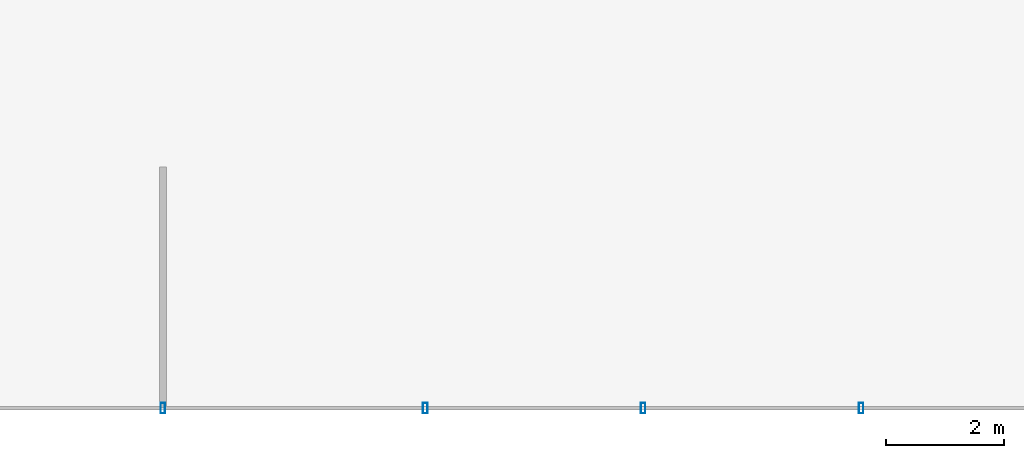
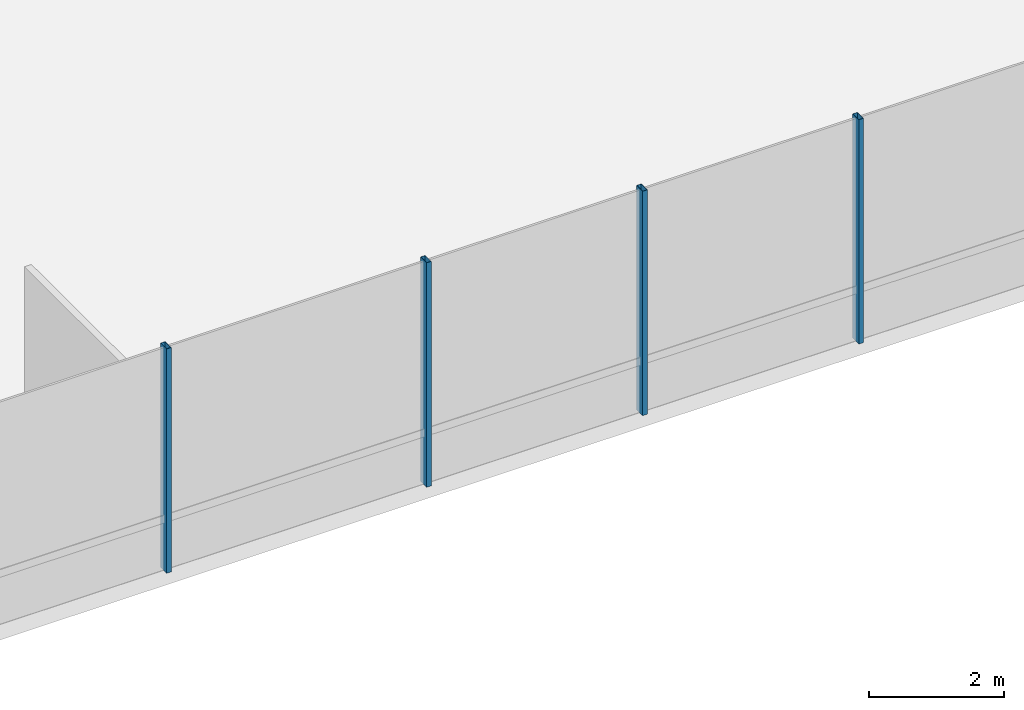
# One storey, part 12 of 33: 4 members, 1 element without a shape of its own.
"""IFC4 building model written with IfcOpenShell, lengths in metres."""

from ifc_helpers import new_model, si_unit, direction, frame, origin, origin_2d, place, context, subcontext, project, spatial, hollow_rectangle, extrude, material, layer, layer_set, material_profile, profile_set, type_object, element, aggregate, save


model = new_model("IFC4")

# Units and contexts
model_context = context("Model", 3, precision=1e-05, world=origin(), true_north=direction((0.0, 1.0)))
body_context = subcontext(model_context, "Body", "Model", "MODEL_VIEW")
ifc_project = project(units=[si_unit("LENGTHUNIT", "METRE"), si_unit("AREAUNIT", "SQUARE_METRE"), si_unit("VOLUMEUNIT", "CUBIC_METRE"), si_unit("PLANEANGLEUNIT", "RADIAN"), si_unit("MASSUNIT", "GRAM", prefix="KILO")], contexts=[model_context])

# Site, building, storey
site_placement = place(None, origin())
site = spatial("IfcSite", under=ifc_project, at=site_placement, CompositionType="ELEMENT")
building_placement = place(site_placement, origin())
building = spatial("IfcBuilding", under=site, at=building_placement, Name="Zarrinselat Tower", CompositionType="ELEMENT")
storey_placement = place(building_placement, frame((0.0, 0.0, 18.360107421875)))
storey = spatial("IfcBuildingStorey", under=building, at=storey_placement, Name="L04", CompositionType="ELEMENT", Elevation=18.360107421875)

# Curtain wall, members
ifc_material_1 = material(Name="Extruded Aluminium Alloy EN AW-6063 T6", Category="aluminium")
ifc_layer = layer(ifc_material_1, 0.2099609375)
ifc_layer_set = layer_set([ifc_layer], Name="Extruded Aluminium Alloy EN AW-6063 T6")
curtain_wall_type = type_object("IfcCurtainWallType", Name="CWS-POD", PredefinedType="NOTDEFINED", material=ifc_layer_set)
curtain_wall_placement = place(storey_placement, origin())
curtain_wall = element("IfcCurtainWall", 1, at=curtain_wall_placement, inside=storey, type_object=curtain_wall_type, Name="L04 Unitised Curtain Wall CW-L04-F1", PredefinedType="NOTDEFINED")
ifc_material_2 = material(Name="Extruded Aluminium Alloy EN AW-6063 T6", Category="aluminium")
ifc_material_profile = material_profile(ifc_material_2, hollow_rectangle(XDim=0.080078125, YDim=0.179931640625, WallThickness=0.0048828125, at=origin_2d()), Name="RHS 180x80x5")
ifc_profile_set = profile_set([ifc_material_profile], Name="Extruded Aluminium Alloy EN AW-6063 T6")
member_type = type_object("IfcMemberType", Name="MEM-CW-MUL", PredefinedType="MULLION", material=ifc_profile_set)
member_1_placement = place(storey_placement, frame((39.5, 6.39990234375, 0.0), z_axis=(0.0, 0.0, 1.0), x_axis=(1.0, 0.0, 0.0)))
member_1 = element("IfcMember", 2, at=member_1_placement, type_object=member_type, Name="CW-L04-F1 Mullion 9", PredefinedType="MULLION", context=body_context, shape_type="SweptSolid", body=[
    extrude(hollow_rectangle(XDim=0.080078125, YDim=0.179931640625, WallThickness=0.0048828125, at=origin_2d()), origin(), (0.0, 0.0, 1.0), 4.06982421875),
])
member_2_placement = place(storey_placement, frame((43.9599609375, 6.39990234375, 0.0), z_axis=(0.0, 0.0, 1.0), x_axis=(1.0, 0.0, 0.0)))
member_2 = element("IfcMember", 3, at=member_2_placement, type_object=member_type, Name="CW-L04-F1 Mullion 10", PredefinedType="MULLION", context=body_context, shape_type="SweptSolid", body=[
    extrude(hollow_rectangle(XDim=0.080078125, YDim=0.179931640625, WallThickness=0.0048828125, at=origin_2d()), origin(), (0.0, 0.0, 1.0), 4.06982421875),
])
member_3_placement = place(storey_placement, frame((47.666748046875, 6.39990234375, 0.0), z_axis=(0.0, 0.0, 1.0), x_axis=(1.0, 0.0, 0.0)))
member_3 = element("IfcMember", 4, at=member_3_placement, type_object=member_type, Name="CW-L04-F1 Mullion 11", PredefinedType="MULLION", context=body_context, shape_type="SweptSolid", body=[
    extrude(hollow_rectangle(XDim=0.080078125, YDim=0.179931640625, WallThickness=0.0048828125, at=origin_2d()), origin(), (0.0, 0.0, 1.0), 4.06982421875),
])
member_4_placement = place(storey_placement, frame((51.373291015625, 6.39990234375, 0.0), z_axis=(0.0, 0.0, 1.0), x_axis=(1.0, 0.0, 0.0)))
member_4 = element("IfcMember", 5, at=member_4_placement, type_object=member_type, Name="CW-L04-F1 Mullion 12", PredefinedType="MULLION", context=body_context, shape_type="SweptSolid", body=[
    extrude(hollow_rectangle(XDim=0.080078125, YDim=0.179931640625, WallThickness=0.0048828125, at=origin_2d()), origin(), (0.0, 0.0, 1.0), 4.06982421875),
])
aggregate(curtain_wall, [member_1, member_2, member_3, member_4])

save(model, "model.ifc")
